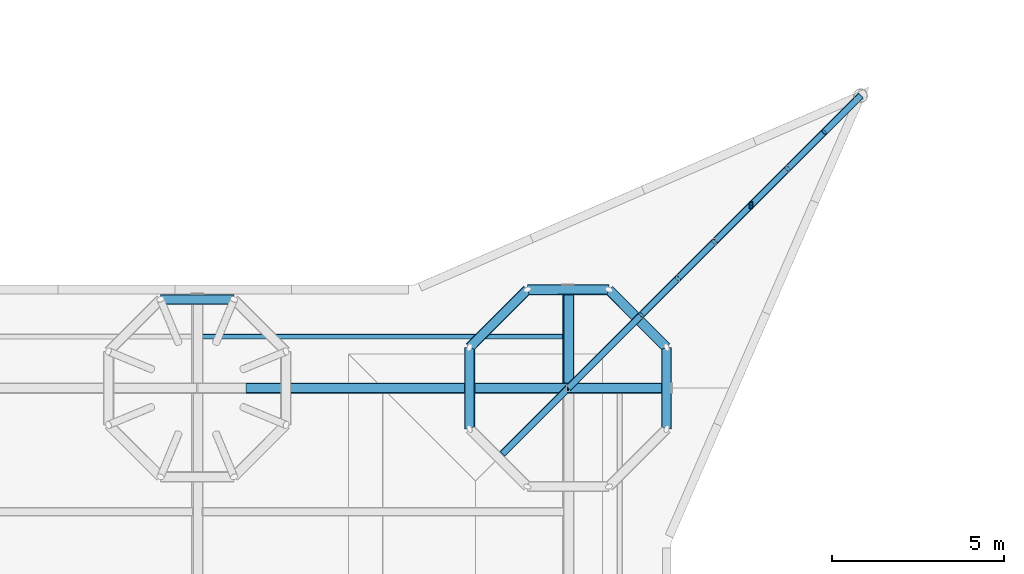
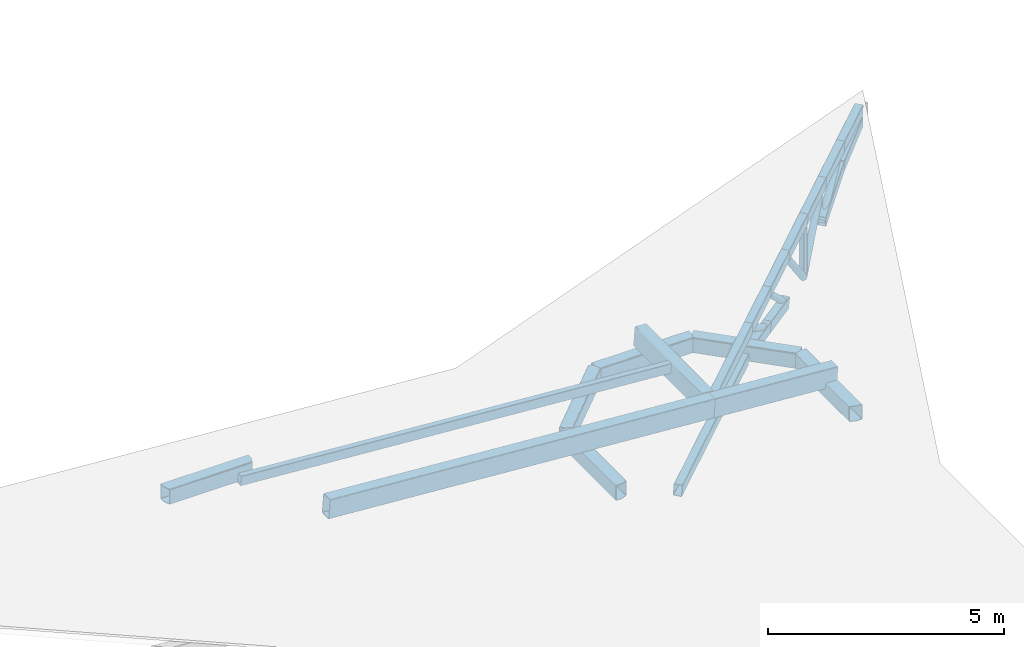
# One storey, part 42 of 95: 18 members, 10 beams.
"""IFC4 building model written with IfcOpenShell, lengths in metres."""

from ifc_helpers import new_model, si_unit, direction, frame, origin, origin_2d, place, context, subcontext, project, spatial, hollow_rectangle, hollow_circle, extrude, clip, halfspace, material, material_profile, profile_set, type_object, element, save


model = new_model("IFC4")

# Units and contexts
model_context = context("Model", 3, precision=1e-05, world=origin(), true_north=direction((0.0, 1.0)))
body_context = subcontext(model_context, "Body", "Model", "MODEL_VIEW")
ifc_project = project(units=[si_unit("LENGTHUNIT", "METRE"), si_unit("AREAUNIT", "SQUARE_METRE"), si_unit("VOLUMEUNIT", "CUBIC_METRE"), si_unit("PLANEANGLEUNIT", "RADIAN"), si_unit("MASSUNIT", "GRAM", prefix="KILO")], contexts=[model_context])

# Site, building, storey
site_placement = place(None, origin())
site = spatial("IfcSite", under=ifc_project, at=site_placement, CompositionType="ELEMENT")
building_placement = place(site_placement, origin())
building = spatial("IfcBuilding", under=site, at=building_placement, Name="Magnolia Steps Interchange", CompositionType="ELEMENT")
storey_placement = place(building_placement, frame((0.0, 0.0, 4.800048828125)))
storey = spatial("IfcBuildingStorey", under=building, at=storey_placement, Name="L01", CompositionType="ELEMENT", Elevation=4.800048828125)

# Beams
ifc_material_1 = material(Name="Steel Q355B", Category="steel")
ifc_material_profile_1 = material_profile(ifc_material_1, hollow_rectangle(XDim=0.300048828125, YDim=0.39990234375, WallThickness=0.013916015625, InnerFilletRadius=0.013916015625, OuterFilletRadius=0.028076171875, at=origin_2d()), Name="RHS400x300x14")
ifc_profile_set_1 = profile_set([ifc_material_profile_1], Name="Steel Q355B")
beam_type_1 = type_object("IfcBeamType", Name="Ring beam RHS400x300x14", PredefinedType="BEAM", material=ifc_profile_set_1)
beam_1_placement = place(storey_placement, frame((173.068603515625, 77.3798828125, 1.756103515625), z_axis=(-1.0, 0.0, 0.0), x_axis=(0.0, -1.0, 0.0)))
element("IfcBeam", 1, at=beam_1_placement, inside=storey, type_object=beam_type_1, Name="Ring beam TC03D", PredefinedType="BEAM", context=body_context, shape_type="Clipping", body=[
    clip(clip(extrude(hollow_rectangle(XDim=0.300048828125, YDim=0.39990234375, WallThickness=0.013916015625, InnerFilletRadius=0.013916015625, OuterFilletRadius=0.028076171875, at=origin_2d()), origin(), (0.0, 0.0, 1.0), 2.13720703125), halfspace(frame((0.0, 0.0, 0.0), z_axis=(0.382683432, 0.0, -0.923879533), x_axis=(0.923879533, 0.0, 0.382683432)), False)), halfspace(frame((0.0, 0.0, 2.137207031), z_axis=(0.382683432, 0.0, 0.923879533), x_axis=(0.923879533, 0.0, -0.382683432)), False)),
])
beam_2_placement = place(storey_placement, frame((185.6640625, 75.986328125, 0.96875), z_axis=(-0.707106781187, 0.707106781187, 0.0), x_axis=(-0.707106781187, -0.707106781187, 0.0)))
element("IfcBeam", 2, at=beam_2_placement, inside=storey, type_object=beam_type_1, Name="Ring beam TC04D", PredefinedType="BEAM", context=body_context, shape_type="Clipping", body=[
    clip(clip(extrude(hollow_rectangle(XDim=0.300048828125, YDim=0.39990234375, WallThickness=0.013916015625, InnerFilletRadius=0.013916015625, OuterFilletRadius=0.028076171875, at=origin_2d()), origin(), (0.0, 0.0, 1.0), 2.37255859375), halfspace(frame((0.0, 0.0, 0.0), z_axis=(0.382683433, 0.0, -0.923879532), x_axis=(0.923879532, 0.0, 0.382683433)), False)), halfspace(frame((0.0, 0.0, 2.372674707), z_axis=(0.382683433, 0.0, 0.923879532), x_axis=(0.923879532, 0.0, -0.382683433)), False)),
])
beam_3_placement = place(storey_placement, frame((183.986328125, 77.6640625, 0.96875), z_axis=(-1.0, 0.0, 0.0), x_axis=(0.0, -1.0, 0.0)))
element("IfcBeam", 3, at=beam_3_placement, inside=storey, type_object=beam_type_1, Name="Ring beam TC04D", PredefinedType="BEAM", context=body_context, shape_type="Clipping", body=[
    clip(clip(extrude(hollow_rectangle(XDim=0.300048828125, YDim=0.39990234375, WallThickness=0.013916015625, InnerFilletRadius=0.013916015625, OuterFilletRadius=0.028076171875, at=origin_2d()), origin(), (0.0, 0.0, 1.0), 2.37255859375), halfspace(frame((0.0, 0.0, 0.0), z_axis=(0.382683432, 0.0, -0.923879533), x_axis=(0.923879533, 0.0, 0.382683432)), False)), halfspace(frame((0.0, 0.0, 2.372558594), z_axis=(0.382683432, 0.0, 0.923879533), x_axis=(0.923879533, 0.0, -0.382683432)), False)),
])
beam_4_placement = place(storey_placement, frame((181.61376953125, 77.6640625, 0.96875), z_axis=(-0.707106781187, -0.707106781187, 0.0), x_axis=(0.707106781187, -0.707106781187, 0.0)))
element("IfcBeam", 4, at=beam_4_placement, inside=storey, type_object=beam_type_1, Name="Ring beam TC04D", PredefinedType="BEAM", context=body_context, shape_type="Clipping", body=[
    clip(clip(extrude(hollow_rectangle(XDim=0.300048828125, YDim=0.39990234375, WallThickness=0.013916015625, InnerFilletRadius=0.013916015625, OuterFilletRadius=0.028076171875, at=origin_2d()), origin(), (0.0, 0.0, 1.0), 2.37255859375), halfspace(frame((0.0, 0.0, 0.0), z_axis=(0.382683433, 0.0, -0.923879532), x_axis=(0.923879532, 0.0, 0.382683433)), False)), halfspace(frame((0.0, 0.0, 2.372674707), z_axis=(0.382683433, 0.0, 0.923879532), x_axis=(0.923879532, 0.0, -0.382683433)), False)),
])
for number, where, z_axis, x_axis, name in (
    (5, (179.93603515625, 75.986328125, 0.96875), (0.0, -1.0, 0.0), (1.0, 0.0, 0.0), "Ring beam TC04D"),
    (6, (185.6640625, 73.61376953125, 0.96875), (0.0, 1.0, 0.0), (-1.0, 0.0, 0.0), "Ring beam TC04D"),
):
    element("IfcBeam", number, at=place(storey_placement, frame(where, z_axis=z_axis, x_axis=x_axis)), inside=storey, type_object=beam_type_1, Name=name, PredefinedType="BEAM", context=body_context, shape_type="Clipping", body=[
        clip(clip(extrude(hollow_rectangle(XDim=0.300048828125, YDim=0.39990234375, WallThickness=0.013916015625, InnerFilletRadius=0.013916015625, OuterFilletRadius=0.028076171875, at=origin_2d()), origin(), (0.0, 0.0, 1.0), 2.37255859375), halfspace(frame((0.0, 0.0, 0.0), z_axis=(0.382683432, 0.0, -0.923879533), x_axis=(0.923879533, 0.0, 0.382683432)), False)), halfspace(frame((0.0, 0.0, 2.372558594), z_axis=(0.382683432, 0.0, 0.923879533), x_axis=(0.923879533, 0.0, -0.382683432)), False)),
    ])
ifc_material_2 = material(Name="Steel Q355B", Category="steel")
ifc_material_profile_2 = material_profile(ifc_material_2, hollow_rectangle(XDim=0.300048828125, YDim=0.5, WallThickness=0.01611328125, InnerFilletRadius=0.01611328125, OuterFilletRadius=0.031982421875, at=origin_2d()), Name="RHS500x300x16")
ifc_profile_set_2 = profile_set([ifc_material_profile_2], Name="Steel Q355B")
beam_type_2 = type_object("IfcBeamType", Name="Roof beam RHS500x300x16", PredefinedType="BEAM", material=ifc_profile_set_2)
beam_5_placement = place(storey_placement, frame((173.39990234375, 74.800048828125, 2.153076171875), z_axis=(0.997353092785, 0.0, -0.072710441562), x_axis=(0.0, 1.0, 0.0)))
element("IfcBeam", 7, at=beam_5_placement, inside=storey, type_object=beam_type_2, Name="Roof beam", PredefinedType="BEAM", context=body_context, shape_type="SweptSolid", body=[
    extrude(hollow_rectangle(XDim=0.300048828125, YDim=0.5, WallThickness=0.01611328125, InnerFilletRadius=0.01611328125, OuterFilletRadius=0.031982421875, at=origin_2d()), origin(), (0.0, 0.0, 1.0), 9.425048828125),
])
beam_6_placement = place(storey_placement, frame((182.800048828125, 74.800048828125, 1.4677734375), z_axis=(0.997352133906, 0.0, -0.072723593097), x_axis=(0.0, 1.0, 0.0)))
element("IfcBeam", 8, at=beam_6_placement, inside=storey, type_object=beam_type_2, Name="Roof beam", PredefinedType="BEAM", context=body_context, shape_type="SweptSolid", body=[
    extrude(hollow_rectangle(XDim=0.300048828125, YDim=0.5, WallThickness=0.01611328125, InnerFilletRadius=0.01611328125, OuterFilletRadius=0.031982421875, at=origin_2d()), origin(), (0.0, 0.0, 1.0), 3.008056640625),
])
beam_7_placement = place(storey_placement, frame((182.800048828125, 74.949951171875, 1.4677734375), z_axis=(0.0, 1.0, 0.0), x_axis=(-0.997352109794, 0.0, 0.072723923782)))
element("IfcBeam", 9, at=beam_7_placement, inside=storey, type_object=beam_type_2, Name="Roof beam", PredefinedType="BEAM", context=body_context, shape_type="SweptSolid", body=[
    extrude(hollow_rectangle(XDim=0.300048828125, YDim=0.5, WallThickness=0.01611328125, InnerFilletRadius=0.01611328125, OuterFilletRadius=0.031982421875, at=origin_2d()), origin(), (0.0, 0.0, 1.0), 2.85009765625),
])
ifc_material_3 = material(Name="Steel Q355B", Category="steel")
ifc_material_profile_3 = material_profile(ifc_material_3, hollow_rectangle(XDim=0.14990234375, YDim=0.25, WallThickness=0.008056640625, InnerFilletRadius=0.008056640625, OuterFilletRadius=0.01611328125, at=origin_2d()), Name="RHS250x150x8")
ifc_profile_set_3 = profile_set([ifc_material_profile_3], Name="Steel Q355B")
beam_type_3 = type_object("IfcBeamType", Name="Roof edge joist RHS250x150x8", PredefinedType="BEAM", material=ifc_profile_set_3)
beam_8_placement = place(storey_placement, frame((172.14990234375, 76.300048828125, 2.36962890625), z_axis=(0.997352133906, 0.0, -0.072723593097), x_axis=(0.0, 1.0, 0.0)))
element("IfcBeam", 10, at=beam_8_placement, inside=storey, type_object=beam_type_3, Name="Roof edge joist", PredefinedType="BEAM", context=body_context, shape_type="SweptSolid", body=[
    extrude(hollow_rectangle(XDim=0.14990234375, YDim=0.25, WallThickness=0.008056640625, InnerFilletRadius=0.008056640625, OuterFilletRadius=0.01611328125, at=origin_2d()), origin(), (0.0, 0.0, 1.0), 10.52783203125),
])

# Members
ifc_material_4 = material(Name="Steel Q355B", Category="steel")
ifc_material_profile_4 = material_profile(ifc_material_4, hollow_rectangle(XDim=0.199951171875, YDim=0.300048828125, WallThickness=0.011962890625, InnerFilletRadius=0.011962890625, OuterFilletRadius=0.02392578125, at=origin_2d()), Name="RHS300x200x12")
ifc_profile_set_4 = profile_set([ifc_material_profile_4], Name="Steel Q355B")
member_type_1 = type_object("IfcMemberType", Name="Roof truss RHS300x200x12", PredefinedType="USERDEFINED", material=ifc_profile_set_4)
member_1_placement = place(storey_placement, frame((182.800048828125, 74.800048828125, 1.56787109375), z_axis=(0.706170197187, 0.706170197187, -0.051451969918), x_axis=(-0.704300336597, 0.708042125736, 0.051355467605)))
element("IfcMember", 11, at=member_1_placement, inside=storey, type_object=member_type_1, Name="Spike truss SP-C-NE top chord", ObjectType="Roof truss", PredefinedType="USERDEFINED", context=body_context, shape_type="SweptSolid", body=[
    extrude(hollow_rectangle(XDim=0.199951171875, YDim=0.300048828125, WallThickness=0.011962890625, InnerFilletRadius=0.011962890625, OuterFilletRadius=0.02392578125, at=origin_2d()), origin(), (0.0, 0.0, 1.0), 3.017822265625),
])
for number, where, z_axis, x_axis, name in (
    (12, (184.93115234375, 76.93115234375, 1.41259765625), (0.706169125443, 0.706169125443, -0.051481380534), (-0.704299267169, 0.708043195164, 0.051355389664), "Spike truss SP-C-NE top chord"),
    (13, (185.99609375, 77.99609375, 1.3349609375), (0.706169125443, 0.706169125443, -0.051481380534), (-0.704299267169, 0.708043195164, 0.051355389664), "Spike truss SP-C-NE top chord"),
    (14, (187.06103515625, 79.06103515625, 1.25732421875), (0.706169125443, 0.706169125443, -0.051481380534), (-0.704299267169, 0.708043195164, 0.051355389664), "Spike truss SP-C-NE top chord"),
    (15, (188.1259765625, 80.1259765625, 1.1796875), (0.706169125443, 0.706169125443, -0.051481380534), (-0.704299267169, 0.708043195164, 0.051355389664), "Spike truss SP-C-NE top chord"),
):
    element("IfcMember", number, at=place(storey_placement, frame(where, z_axis=z_axis, x_axis=x_axis)), inside=storey, type_object=member_type_1, Name=name, ObjectType="Roof truss", PredefinedType="USERDEFINED", context=body_context, shape_type="SweptSolid", body=[
        extrude(hollow_rectangle(XDim=0.199951171875, YDim=0.300048828125, WallThickness=0.011962890625, InnerFilletRadius=0.011962890625, OuterFilletRadius=0.02392578125, at=origin_2d()), origin(), (0.0, 0.0, 1.0), 1.508056640625),
    ])
member_2_placement = place(storey_placement, frame((189.19091796875, 81.19091796875, 1.10205078125), z_axis=(0.706168696231, 0.706168696231, -0.051493154185), x_axis=(-0.704298839056, 0.708043623277, 0.05135535845)))
element("IfcMember", 16, at=member_2_placement, inside=storey, type_object=member_type_1, Name="Spike truss SP-C-NE top chord", ObjectType="Roof truss", PredefinedType="USERDEFINED", context=body_context, shape_type="SweptSolid", body=[
    extrude(hollow_rectangle(XDim=0.199951171875, YDim=0.300048828125, WallThickness=0.011962890625, InnerFilletRadius=0.011962890625, OuterFilletRadius=0.02392578125, at=origin_2d()), origin(), (0.0, 0.0, 1.0), 1.5078125),
])
member_3_placement = place(storey_placement, frame((190.255615234375, 82.255615234375, 1.0244140625), z_axis=(0.706163230782, 0.706163230782, -0.051642840582), x_axis=(-0.704293396165, 0.708049066168, 0.051354960981)))
element("IfcMember", 17, at=member_3_placement, inside=storey, type_object=member_type_1, Name="Spike truss SP-C-NE top chord", ObjectType="Roof truss", PredefinedType="USERDEFINED", context=body_context, shape_type="SweptSolid", body=[
    extrude(hollow_rectangle(XDim=0.199951171875, YDim=0.300048828125, WallThickness=0.011962890625, InnerFilletRadius=0.011962890625, OuterFilletRadius=0.02392578125, at=origin_2d()), origin(), (0.0, 0.0, 1.0), 1.508056640625),
])
member_4_placement = place(storey_placement, frame((180.880859375, 72.880859375, 1.10791015625), z_axis=(0.706169284918, 0.706169284918, -0.051477005312), x_axis=(-0.704299426261, 0.708043036072, 0.051355401261)))
element("IfcMember", 18, at=member_4_placement, inside=storey, type_object=member_type_1, Name="Spike truss SP-C-NE bottom chord", ObjectType="Roof truss", PredefinedType="USERDEFINED", context=body_context, shape_type="SweptSolid", body=[
    extrude(hollow_rectangle(XDim=0.199951171875, YDim=0.300048828125, WallThickness=0.011962890625, InnerFilletRadius=0.011962890625, OuterFilletRadius=0.02392578125, at=origin_2d()), origin(), (0.0, 0.0, 1.0), 5.43505859375),
])
for number, where, z_axis, x_axis, name in (
    (19, (184.93115234375, 76.93115234375, 0.8125), (0.68576353985, 0.68576353985, -0.243837517264), (-0.697097727804, 0.71517194524, 0.05083155155), "Spike truss SP-C-NE bottom chord"),
    (20, (185.99609375, 77.99609375, 0.433837890625), (0.685737244518, 0.685737244518, -0.243985374482), (-0.697092247918, 0.715177425125, 0.050829602434), "Spike truss SP-C-NE bottom chord"),
):
    element("IfcMember", number, at=place(storey_placement, frame(where, z_axis=z_axis, x_axis=x_axis)), inside=storey, type_object=member_type_1, Name=name, ObjectType="Roof truss", PredefinedType="USERDEFINED", context=body_context, shape_type="SweptSolid", body=[
        extrude(hollow_rectangle(XDim=0.199951171875, YDim=0.300048828125, WallThickness=0.011962890625, InnerFilletRadius=0.011962890625, OuterFilletRadius=0.02392578125, at=origin_2d()), origin(), (0.0, 0.0, 1.0), 1.552978515625),
    ])
member_5_placement = place(storey_placement, frame((189.19091796875, 81.19091796875, 0.10595703125), z_axis=(0.681057779232, 0.681057779232, 0.268924901591), x_axis=(-0.716378983271, 0.695753305857, 0.052234947273)))
element("IfcMember", 21, at=member_5_placement, inside=storey, type_object=member_type_1, Name="Spike truss SP-C-NE bottom chord", ObjectType="Roof truss", PredefinedType="USERDEFINED", context=body_context, shape_type="SweptSolid", body=[
    extrude(hollow_rectangle(XDim=0.199951171875, YDim=0.300048828125, WallThickness=0.011962890625, InnerFilletRadius=0.011962890625, OuterFilletRadius=0.02392578125, at=origin_2d()), origin(), (0.0, 0.0, 1.0), 1.563232421875),
])
member_6_placement = place(storey_placement, frame((190.255615234375, 82.255615234375, 0.5263671875), z_axis=(0.704859418147, 0.704859418147, 0.079664303793), x_axis=(-0.709076777806, 0.703233132581, 0.051703814343)))
element("IfcMember", 22, at=member_6_placement, inside=storey, type_object=member_type_1, Name="Spike truss SP-C-NE bottom chord", ObjectType="Roof truss", PredefinedType="USERDEFINED", context=body_context, shape_type="SweptSolid", body=[
    extrude(hollow_rectangle(XDim=0.199951171875, YDim=0.300048828125, WallThickness=0.011962890625, InnerFilletRadius=0.011962890625, OuterFilletRadius=0.02392578125, at=origin_2d()), origin(), (0.0, 0.0, 1.0), 1.5107421875),
])
ifc_material_5 = material(Name="Steel Q355B", Category="steel")
ifc_material_profile_5 = material_profile(ifc_material_5, hollow_circle(Radius=0.083984375, WallThickness=0.008056640625, at=origin_2d()), Name="CHS168x8")
ifc_profile_set_5 = profile_set([ifc_material_profile_5], Name="Steel Q355B")
member_type_2 = type_object("IfcMemberType", Name="Roof truss diagonal CHS168x8", PredefinedType="USERDEFINED", material=ifc_profile_set_5)
member_7_placement = place(storey_placement, frame((184.93115234375, 76.93115234375, 1.41259765625), z_axis=(0.592900773099, 0.592900773099, -0.544919578027), x_axis=(-0.682972515629, 0.728744326389, 0.049802104898)))
element("IfcMember", 23, at=member_7_placement, inside=storey, type_object=member_type_2, Name="Spike truss SP-C-NE diagonal", ObjectType="Roof truss diagonal", PredefinedType="USERDEFINED", context=body_context, shape_type="SweptSolid", body=[
    extrude(hollow_circle(Radius=0.083984375, WallThickness=0.008056640625, at=origin_2d()), origin(), (0.0, 0.0, 1.0), 1.796142578125),
])
member_8_placement = place(storey_placement, frame((185.99609375, 77.99609375, 1.3349609375), z_axis=(0.53879312992, 0.53879312992, -0.647614025715), x_axis=(-0.676001180482, 0.735250024981, 0.049293049724)))
element("IfcMember", 24, at=member_8_placement, inside=storey, type_object=member_type_2, Name="Spike truss SP-C-NE diagonal", ObjectType="Roof truss diagonal", PredefinedType="USERDEFINED", context=body_context, shape_type="SweptSolid", body=[
    extrude(hollow_circle(Radius=0.083984375, WallThickness=0.008056640625, at=origin_2d()), origin(), (0.0, 0.0, 1.0), 1.9765625),
])
member_9_placement = place(storey_placement, frame((187.06103515625, 79.06103515625, 1.25732421875), z_axis=(0.489211682883, 0.489211682883, -0.722041452177), x_axis=(-0.669328553309, 0.741361802794, 0.04880537966)))
element("IfcMember", 25, at=member_9_placement, inside=storey, type_object=member_type_2, Name="Spike truss SP-C-NE diagonal", ObjectType="Roof truss diagonal", PredefinedType="USERDEFINED", context=body_context, shape_type="SweptSolid", body=[
    extrude(hollow_circle(Radius=0.083984375, WallThickness=0.008056640625, at=origin_2d()), origin(), (0.0, 0.0, 1.0), 2.1767578125),
])
member_10_placement = place(storey_placement, frame((188.1259765625, 80.1259765625, -0.314453125), z_axis=(0.515078853082, 0.515078853082, 0.685118639519), x_axis=(-0.741096960486, 0.669219843452, 0.054037915288)))
element("IfcMember", 26, at=member_10_placement, inside=storey, type_object=member_type_2, Name="Spike truss SP-C-NE diagonal", ObjectType="Roof truss diagonal", PredefinedType="USERDEFINED", context=body_context, shape_type="SweptSolid", body=[
    extrude(hollow_circle(Radius=0.083984375, WallThickness=0.008056640625, at=origin_2d()), origin(), (0.0, 0.0, 1.0), 2.067626953125),
])
member_11_placement = place(storey_placement, frame((189.19091796875, 81.19091796875, 0.10595703125), z_axis=(0.60366418333, 0.60366418333, 0.520748603001), x_axis=(-0.728651159576, 0.682821360288, 0.053126994869)))
element("IfcMember", 27, at=member_11_placement, inside=storey, type_object=member_type_2, Name="Spike truss SP-C-NE diagonal", ObjectType="Roof truss diagonal", PredefinedType="USERDEFINED", context=body_context, shape_type="SweptSolid", body=[
    extrude(hollow_circle(Radius=0.083984375, WallThickness=0.008056640625, at=origin_2d()), origin(), (0.0, 0.0, 1.0), 1.763671875),
])
ifc_material_6 = material(Name="Steel Q355B", Category="steel")
ifc_material_profile_6 = material_profile(ifc_material_6, hollow_rectangle(XDim=0.10009765625, YDim=0.199951171875, WallThickness=0.008056640625, InnerFilletRadius=0.008056640625, OuterFilletRadius=0.01611328125, at=origin_2d()), Name="RHS200x100x8")
ifc_profile_set_6 = profile_set([ifc_material_profile_6], Name="Steel Q355B")
member_type_3 = type_object("IfcMemberType", Name="Roof truss post RHS200x100x8", PredefinedType="USERDEFINED", material=ifc_profile_set_6)
member_12_placement = place(storey_placement, frame((188.1259765625, 80.1259765625, -0.16455078125), z_axis=(0.0, 0.0, 1.0), x_axis=(1.0, 0.0, 0.0)))
element("IfcMember", 28, at=member_12_placement, inside=storey, type_object=member_type_3, Name="Spike truss SP-C-NE post", ObjectType="Roof truss post", PredefinedType="USERDEFINED", context=body_context, shape_type="SweptSolid", body=[
    extrude(hollow_rectangle(XDim=0.10009765625, YDim=0.199951171875, WallThickness=0.008056640625, InnerFilletRadius=0.008056640625, OuterFilletRadius=0.01611328125, at=origin_2d()), origin(), (0.0, 0.0, 1.0), 1.194091796875),
])

save(model, "model.ifc")
